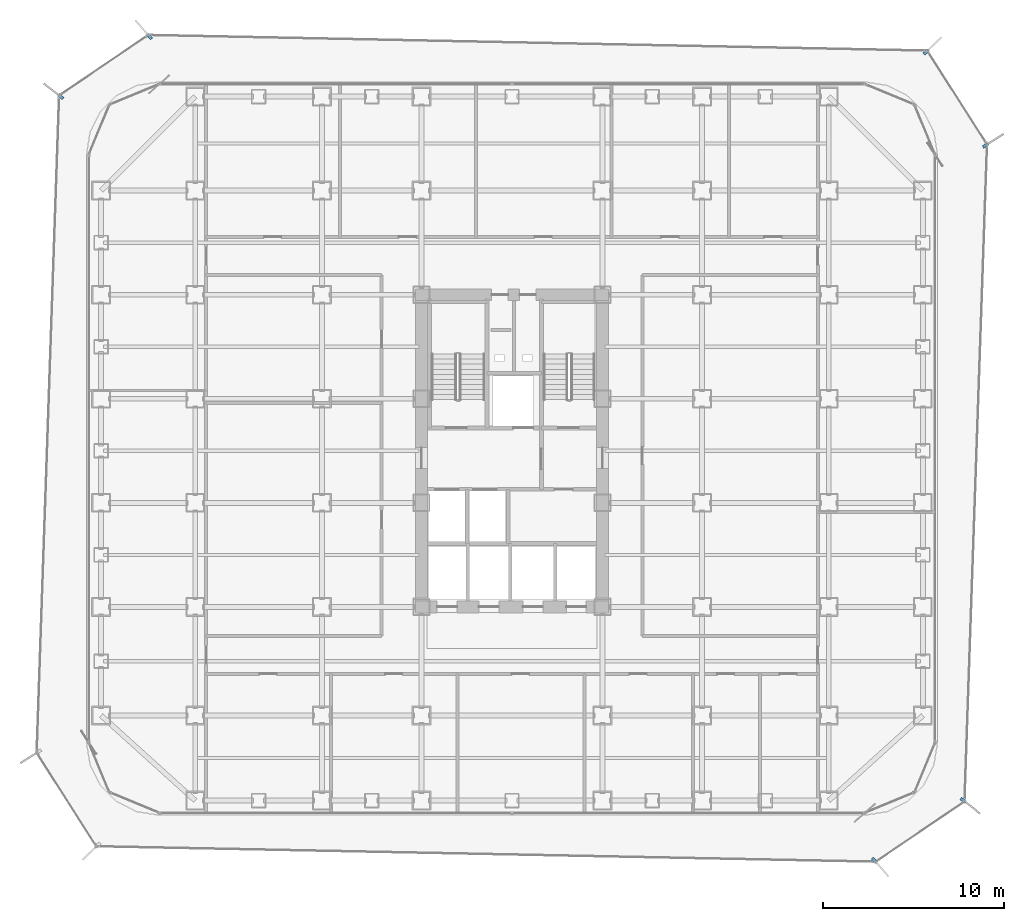
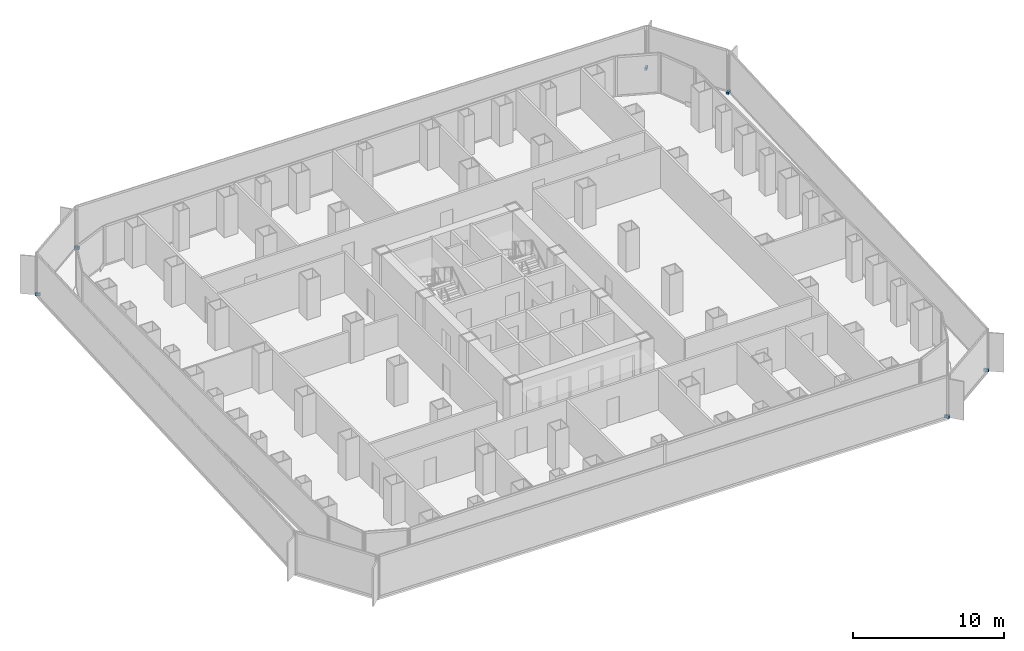
# One storey, part 19 of 22: 6 discrete accessories.
"""IFC4 building model written with IfcOpenShell, lengths in metres."""

from ifc_helpers import new_model, si_unit, direction, frame, origin, origin_2d, place, context, subcontext, project, spatial, rectangle, extrude, source, transform, mapped, material, type_object, element, save


model = new_model("IFC4")

# Units and contexts
model_context = context("Model", 3, precision=1e-05, world=origin(), true_north=direction((0.0, 1.0)))
body_context = subcontext(model_context, "Body", "Model", "MODEL_VIEW")
ifc_project = project(units=[si_unit("LENGTHUNIT", "METRE"), si_unit("AREAUNIT", "SQUARE_METRE"), si_unit("VOLUMEUNIT", "CUBIC_METRE"), si_unit("PLANEANGLEUNIT", "RADIAN"), si_unit("MASSUNIT", "GRAM", prefix="KILO")], contexts=[model_context])

# Site, building, storey
site_placement = place(None, origin())
site = spatial("IfcSite", under=ifc_project, at=site_placement, CompositionType="ELEMENT")
building_placement = place(site_placement, origin())
building = spatial("IfcBuilding", under=site, at=building_placement, Name="Kolveth Station Tower", CompositionType="ELEMENT")
storey_placement = place(building_placement, frame((0.0, 0.0, 84.60009765625)))
storey = spatial("IfcBuildingStorey", under=building, at=storey_placement, Name="L22", CompositionType="ELEMENT", Elevation=84.60009765625)

# Discrete accessories
ifc_material = material(Name="Steel S355", Category="steel")
discrete_accessory_type = type_object("IfcDiscreteAccessoryType", Name="Bracket_BK1", PredefinedType="BRACKET", material=ifc_material)
shared_shape = source(origin(), body_context, "Body", "SweptSolid", [
    extrude(rectangle(XDim=0.35009765625, YDim=0.159912109375, at=origin_2d()), origin(), (0.0, 0.0, 1.0), 0.219970703125),
])
for number, where, z_axis, x_axis, name in (
    (1, (43.527099609375, -2.510009765625, -0.06005859375), (0.0, 0.0, 1.0), (0.660657018202, -0.750687887408, 0.0), "L22 Double-Skin Radial Tie Bracket 1"),
    (2, (48.429931640625, 0.80908203125, -0.06005859375), (0.0, 0.0, 1.0), (0.788547719477, -0.614973571877, 0.0), "L22 Double-Skin Radial Tie Bracket 2"),
    (3, (49.669921875, 37.0009765625, -0.06005859375), (0.0, 0.0, 1.0), (0.842264279204, 0.539064823539, 0.0), "L22 Double-Skin Radial Tie Bracket 3"),
    (4, (46.3798828125, 42.158935546875, -0.06005859375), (0.0, 0.0, 1.0), (0.722243259262, 0.691639121545, 0.0), "L22 Double-Skin Radial Tie Bracket 4"),
    (5, (3.471923828125, 43.01611328125, -0.06005859375), (0.0, 0.0, 1.0), (-0.660525988387, 0.750803182375, 0.0), "L22 Double-Skin Radial Tie Bracket 5"),
    (6, (-1.43505859375, 39.694091796875, -0.06005859375), (0.0, 0.0, 1.0), (-0.788547719477, 0.614973571877, 0.0), "L22 Double-Skin Radial Tie Bracket 6"),
):
    element("IfcDiscreteAccessory", number, at=place(storey_placement, frame(where, z_axis=z_axis, x_axis=x_axis)), inside=storey, type_object=discrete_accessory_type, Name=name, PredefinedType="BRACKET", context=body_context, shape_type="MappedRepresentation", body=[
        mapped(shared_shape, transform((0.0, 0.0, 0.0), x_axis=(1.0, 0.0, 0.0), y_axis=(0.0, 1.0, 0.0), z_axis=(0.0, 0.0, 1.0), scale=1.0)),
    ])

save(model, "model.ifc")
